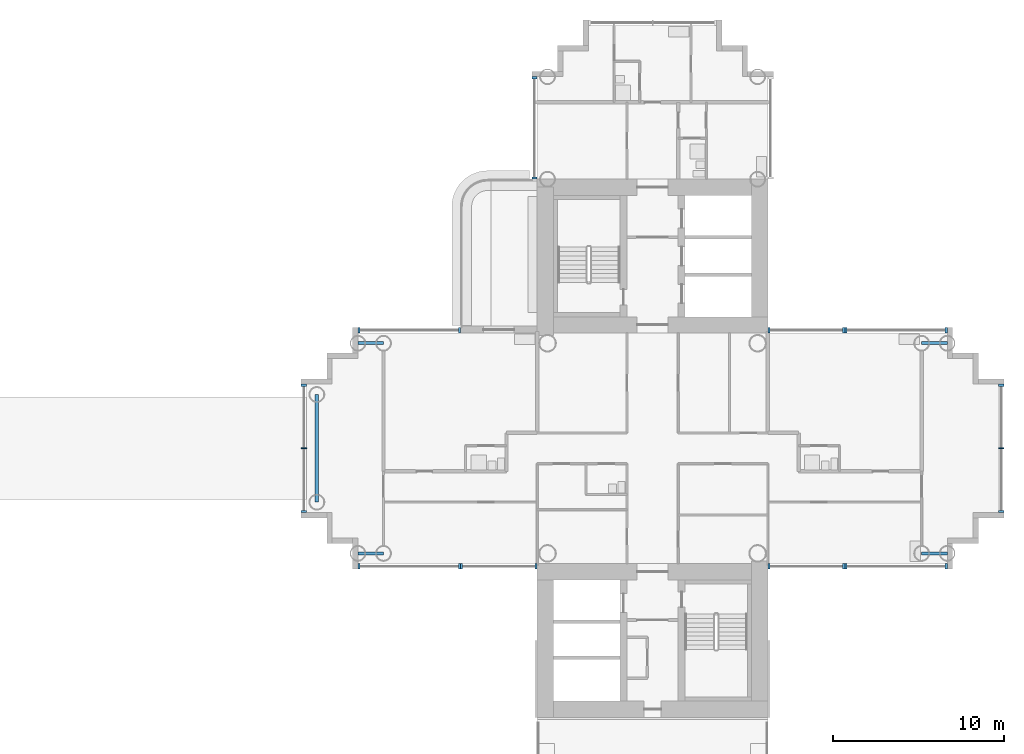
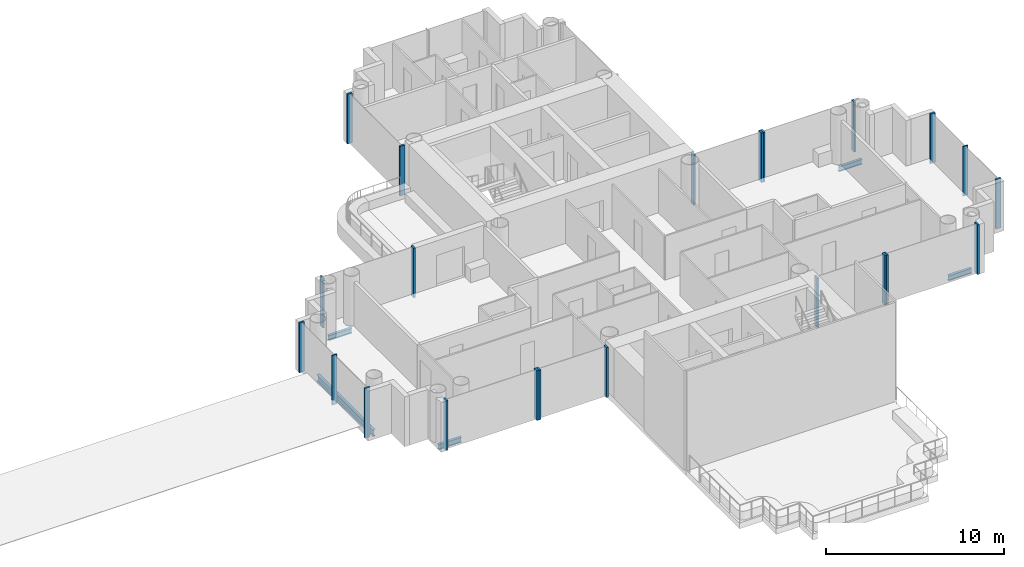
# One storey, part 5 of 22: 22 members, 5 beams, 10 elements without a shape of their own.
"""IFC4 building model written with IfcOpenShell, lengths in metres."""

from ifc_helpers import new_model, si_unit, direction, frame, origin, origin_2d, place, context, subcontext, project, spatial, rectangle, i_section, extrude, material, layer, layer_set, material_profile, profile_set, type_object, element, aggregate, save


model = new_model("IFC4")

# Units and contexts
model_context = context("Model", 3, precision=1e-05, world=origin(), true_north=direction((0.0, 1.0)))
body_context = subcontext(model_context, "Body", "Model", "MODEL_VIEW")
ifc_project = project(units=[si_unit("LENGTHUNIT", "METRE"), si_unit("AREAUNIT", "SQUARE_METRE"), si_unit("VOLUMEUNIT", "CUBIC_METRE"), si_unit("PLANEANGLEUNIT", "RADIAN"), si_unit("MASSUNIT", "GRAM", prefix="KILO")], contexts=[model_context])

# Site, building, storey
site_placement = place(None, origin())
site = spatial("IfcSite", under=ifc_project, at=site_placement, CompositionType="ELEMENT")
building_placement = place(site_placement, origin())
building = spatial("IfcBuilding", under=site, at=building_placement, Name="Ipe Terrace Towers", CompositionType="ELEMENT")
storey_placement = place(building_placement, frame((0.0, 0.0, 76.60009765625)))
storey = spatial("IfcBuildingStorey", under=building, at=storey_placement, Name="L20", CompositionType="ELEMENT", Elevation=76.60009765625)

# Beams
ifc_material_1 = material(Name="Steel S355", Category="steel")
ifc_material_profile_1 = material_profile(ifc_material_1, i_section(OverallWidth=0.175048828125, OverallDepth=0.35009765625, WebThickness=0.007080078125, FlangeThickness=0.010986328125, at=origin_2d()), Name="H-350x175x7x11")
ifc_profile_set_1 = profile_set([ifc_material_profile_1], Name="Steel S355")
beam_type_1 = type_object("IfcBeamType", Name="H04 EDGE BEAM H-350x175x7x11", PredefinedType="BEAM", material=ifc_profile_set_1)
for number, where, z_axis, x_axis, name in (
    (1, (20.25, 6.14990234375, -0.5751953125), (-1.0, 0.0, 0.0), (0.0, -1.0, 0.0), "Edge beam T2-EB-B03-B05"),
    (2, (20.25, -6.14990234375, -0.5751953125), (-1.0, 0.0, 0.0), (0.0, -1.0, 0.0), "Edge beam T2-EB-B04-B06"),
    (3, (51.75, -6.14990234375, -0.5751953125), (1.0, 0.0, 0.0), (0.0, 1.0, 0.0), "Edge beam T2-EB-D03-D05"),
    (4, (51.75, 6.14990234375, -0.5751953125), (1.0, 0.0, 0.0), (0.0, 1.0, 0.0), "Edge beam T2-EB-D04-D06"),
):
    element("IfcBeam", number, at=place(storey_placement, frame(where, z_axis=z_axis, x_axis=x_axis)), inside=storey, type_object=beam_type_1, Name=name, PredefinedType="BEAM", context=body_context, shape_type="SweptSolid", body=[
        extrude(i_section(OverallWidth=0.175048828125, OverallDepth=0.35009765625, WebThickness=0.007080078125, FlangeThickness=0.010986328125, at=origin_2d()), origin(), (0.0, 0.0, 1.0), 1.5),
    ])
ifc_material_2 = material(Name="Steel S355", Category="steel")
ifc_material_profile_2 = material_profile(ifc_material_2, i_section(OverallWidth=0.199951171875, OverallDepth=0.449951171875, WebThickness=0.009033203125, FlangeThickness=0.013916015625, at=origin_2d()), Name="H-450x200x9x14")
ifc_profile_set_2 = profile_set([ifc_material_profile_2], Name="Steel S355")
beam_type_2 = type_object("IfcBeamType", Name="H08 EDGE BEAM H-450x200x9x14", PredefinedType="BEAM", material=ifc_profile_set_2)
beam_placement = place(storey_placement, frame((16.35009765625, 3.14990234375, -0.625), z_axis=(0.0, -1.0, 0.0), x_axis=(1.0, 0.0, 0.0)))
element("IfcBeam", 5, at=beam_placement, inside=storey, type_object=beam_type_2, Name="Edge beam T2-EB-B07-B08", PredefinedType="BEAM", context=body_context, shape_type="SweptSolid", body=[
    extrude(i_section(OverallWidth=0.199951171875, OverallDepth=0.449951171875, WebThickness=0.009033203125, FlangeThickness=0.013916015625, at=origin_2d()), origin(), (0.0, 0.0, 1.0), 6.2998046875),
])

# Curtain wall, members
ifc_material_3 = material(Name="Aluminium alloy 6063-T6", Category="aluminium")
ifc_layer = layer(ifc_material_3, 0.320068359375)
ifc_layer_set = layer_set([ifc_layer], Name="TOWER UNITISED CURTAIN WALL")
curtain_wall_type = type_object("IfcCurtainWallType", Name="TOWER UNITISED CURTAIN WALL", PredefinedType="NOTDEFINED", material=ifc_layer_set)
curtain_wall_1_placement = place(storey_placement, origin())
curtain_wall_1 = element("IfcCurtainWall", 6, at=curtain_wall_1_placement, inside=storey, type_object=curtain_wall_type, Name="T2-CW-L20-02a curtain wall", PredefinedType="NOTDEFINED")
ifc_material_4 = material(Name="Aluminium alloy 6063-T6", Category="aluminium")
ifc_material_profile_3 = material_profile(ifc_material_4, rectangle(XDim=0.320068359375, YDim=0.1201171875, at=origin_2d()), Name="TOWER UNITISED CORNER MULLION 320 x 120")
ifc_profile_set_3 = profile_set([ifc_material_profile_3], Name="Aluminium alloy 6063-T6")
member_type_1 = type_object("IfcMemberType", Name="TOWER UNITISED CORNER MULLION 320 x 120", PredefinedType="MULLION", material=ifc_profile_set_3)
member_1_placement = place(storey_placement, frame((42.81005859375, -6.909912109375, -0.300048828125), z_axis=(0.0, 0.0, 1.0), x_axis=(0.0, -1.0, 0.0)))
member_1 = element("IfcMember", 7, at=member_1_placement, type_object=member_type_1, Name="T2-CW-L20-02a mullion 1", PredefinedType="MULLION", context=body_context, shape_type="SweptSolid", body=[
    extrude(rectangle(XDim=0.320068359375, YDim=0.1201171875, at=origin_2d()), origin(), (0.0, 0.0, 1.0), 3.39990234375),
])
member_2_placement = place(storey_placement, frame((47.18994140625, -6.909912109375, -0.300048828125), z_axis=(0.0, 0.0, 1.0), x_axis=(0.0, -1.0, 0.0)))
member_2 = element("IfcMember", 8, at=member_2_placement, type_object=member_type_1, Name="T2-CW-L20-02a mullion 2", PredefinedType="MULLION", context=body_context, shape_type="SweptSolid", body=[
    extrude(rectangle(XDim=0.320068359375, YDim=0.1201171875, at=origin_2d()), origin(), (0.0, 0.0, 1.0), 3.39990234375),
])
aggregate(curtain_wall_1, [member_1, member_2])

curtain_wall_2_placement = place(storey_placement, origin())
curtain_wall_2 = element("IfcCurtainWall", 9, at=curtain_wall_2_placement, inside=storey, type_object=curtain_wall_type, Name="T2-CW-L20-03a curtain wall", PredefinedType="NOTDEFINED")
member_3_placement = place(storey_placement, frame((47.31005859375, -6.909912109375, -0.300048828125), z_axis=(0.0, 0.0, 1.0), x_axis=(0.0, -1.0, 0.0)))
member_3 = element("IfcMember", 10, at=member_3_placement, type_object=member_type_1, Name="T2-CW-L20-03a mullion 1", PredefinedType="MULLION", context=body_context, shape_type="SweptSolid", body=[
    extrude(rectangle(XDim=0.320068359375, YDim=0.1201171875, at=origin_2d()), origin(), (0.0, 0.0, 1.0), 3.39990234375),
])
member_4_placement = place(storey_placement, frame((53.18994140625, -6.909912109375, -0.300048828125), z_axis=(0.0, 0.0, 1.0), x_axis=(0.0, -1.0, 0.0)))
member_4 = element("IfcMember", 11, at=member_4_placement, type_object=member_type_1, Name="T2-CW-L20-03a mullion 2", PredefinedType="MULLION", context=body_context, shape_type="SweptSolid", body=[
    extrude(rectangle(XDim=0.320068359375, YDim=0.1201171875, at=origin_2d()), origin(), (0.0, 0.0, 1.0), 3.39990234375),
])
aggregate(curtain_wall_2, [member_3, member_4])

curtain_wall_3_placement = place(storey_placement, origin())
curtain_wall_3 = element("IfcCurtainWall", 12, at=curtain_wall_3_placement, inside=storey, type_object=curtain_wall_type, Name="T2-CW-L20-08a curtain wall", PredefinedType="NOTDEFINED")
member_5_placement = place(storey_placement, frame((56.409912109375, -3.68994140625, -0.300048828125), z_axis=(0.0, 0.0, 1.0), x_axis=(1.0, 0.0, 0.0)))
member_5 = element("IfcMember", 13, at=member_5_placement, type_object=member_type_1, Name="T2-CW-L20-08a mullion 1", PredefinedType="MULLION", context=body_context, shape_type="SweptSolid", body=[
    extrude(rectangle(XDim=0.320068359375, YDim=0.1201171875, at=origin_2d()), origin(), (0.0, 0.0, 1.0), 3.39990234375),
])
member_6_placement = place(storey_placement, frame((56.409912109375, 3.68994140625, -0.300048828125), z_axis=(0.0, 0.0, 1.0), x_axis=(1.0, 0.0, 0.0)))
member_6 = element("IfcMember", 14, at=member_6_placement, type_object=member_type_1, Name="T2-CW-L20-08a mullion 3", PredefinedType="MULLION", context=body_context, shape_type="SweptSolid", body=[
    extrude(rectangle(XDim=0.320068359375, YDim=0.1201171875, at=origin_2d()), origin(), (0.0, 0.0, 1.0), 3.39990234375),
])

curtain_wall_4_placement = place(storey_placement, origin())
curtain_wall_4 = element("IfcCurtainWall", 15, at=curtain_wall_4_placement, inside=storey, type_object=curtain_wall_type, Name="T2-CW-L20-13a curtain wall", PredefinedType="NOTDEFINED")
member_7_placement = place(storey_placement, frame((53.18994140625, 6.909912109375, -0.300048828125), z_axis=(0.0, 0.0, 1.0), x_axis=(0.0, 1.0, 0.0)))
member_7 = element("IfcMember", 16, at=member_7_placement, type_object=member_type_1, Name="T2-CW-L20-13a mullion 1", PredefinedType="MULLION", context=body_context, shape_type="SweptSolid", body=[
    extrude(rectangle(XDim=0.320068359375, YDim=0.1201171875, at=origin_2d()), origin(), (0.0, 0.0, 1.0), 3.39990234375),
])
member_8_placement = place(storey_placement, frame((47.31005859375, 6.909912109375, -0.300048828125), z_axis=(0.0, 0.0, 1.0), x_axis=(0.0, 1.0, 0.0)))
member_8 = element("IfcMember", 17, at=member_8_placement, type_object=member_type_1, Name="T2-CW-L20-13a mullion 2", PredefinedType="MULLION", context=body_context, shape_type="SweptSolid", body=[
    extrude(rectangle(XDim=0.320068359375, YDim=0.1201171875, at=origin_2d()), origin(), (0.0, 0.0, 1.0), 3.39990234375),
])
aggregate(curtain_wall_4, [member_7, member_8])

curtain_wall_5_placement = place(storey_placement, origin())
curtain_wall_5 = element("IfcCurtainWall", 18, at=curtain_wall_5_placement, inside=storey, type_object=curtain_wall_type, Name="T2-CW-L20-14a curtain wall", PredefinedType="NOTDEFINED")
member_9_placement = place(storey_placement, frame((47.18994140625, 6.909912109375, -0.300048828125), z_axis=(0.0, 0.0, 1.0), x_axis=(0.0, 1.0, 0.0)))
member_9 = element("IfcMember", 19, at=member_9_placement, type_object=member_type_1, Name="T2-CW-L20-14a mullion 1", PredefinedType="MULLION", context=body_context, shape_type="SweptSolid", body=[
    extrude(rectangle(XDim=0.320068359375, YDim=0.1201171875, at=origin_2d()), origin(), (0.0, 0.0, 1.0), 3.39990234375),
])
member_10_placement = place(storey_placement, frame((42.81005859375, 6.909912109375, -0.300048828125), z_axis=(0.0, 0.0, 1.0), x_axis=(0.0, 1.0, 0.0)))
member_10 = element("IfcMember", 20, at=member_10_placement, type_object=member_type_1, Name="T2-CW-L20-14a mullion 2", PredefinedType="MULLION", context=body_context, shape_type="SweptSolid", body=[
    extrude(rectangle(XDim=0.320068359375, YDim=0.1201171875, at=origin_2d()), origin(), (0.0, 0.0, 1.0), 3.39990234375),
])
aggregate(curtain_wall_5, [member_9, member_10])

curtain_wall_6_placement = place(storey_placement, origin())
curtain_wall_6 = element("IfcCurtainWall", 21, at=curtain_wall_6_placement, inside=storey, type_object=curtain_wall_type, Name="T2-CW-L20-26a curtain wall", PredefinedType="NOTDEFINED")
member_11_placement = place(storey_placement, frame((29.090087890625, 21.68994140625, -0.300048828125), z_axis=(0.0, 0.0, 1.0), x_axis=(-1.0, 0.0, 0.0)))
member_11 = element("IfcMember", 22, at=member_11_placement, type_object=member_type_1, Name="T2-CW-L20-26a mullion 1", PredefinedType="MULLION", context=body_context, shape_type="SweptSolid", body=[
    extrude(rectangle(XDim=0.320068359375, YDim=0.1201171875, at=origin_2d()), origin(), (0.0, 0.0, 1.0), 3.39990234375),
])
member_12_placement = place(storey_placement, frame((29.090087890625, 15.81103515625, -0.300048828125), z_axis=(0.0, 0.0, 1.0), x_axis=(-1.0, 0.0, 0.0)))
member_12 = element("IfcMember", 23, at=member_12_placement, type_object=member_type_1, Name="T2-CW-L20-26a mullion 2", PredefinedType="MULLION", context=body_context, shape_type="SweptSolid", body=[
    extrude(rectangle(XDim=0.320068359375, YDim=0.1201171875, at=origin_2d()), origin(), (0.0, 0.0, 1.0), 3.39990234375),
])
aggregate(curtain_wall_6, [member_11, member_12])

curtain_wall_7_placement = place(storey_placement, origin())
curtain_wall_7 = element("IfcCurtainWall", 24, at=curtain_wall_7_placement, inside=storey, type_object=curtain_wall_type, Name="T2-CW-L20-29a curtain wall", PredefinedType="NOTDEFINED")
member_13_placement = place(storey_placement, frame((24.68994140625, 6.909912109375, -0.300048828125), z_axis=(0.0, 0.0, 1.0), x_axis=(0.0, 1.0, 0.0)))
member_13 = element("IfcMember", 25, at=member_13_placement, type_object=member_type_1, Name="T2-CW-L20-29a mullion 1", PredefinedType="MULLION", context=body_context, shape_type="SweptSolid", body=[
    extrude(rectangle(XDim=0.320068359375, YDim=0.1201171875, at=origin_2d()), origin(), (0.0, 0.0, 1.0), 3.39990234375),
])
member_14_placement = place(storey_placement, frame((18.81005859375, 6.909912109375, -0.300048828125), z_axis=(0.0, 0.0, 1.0), x_axis=(0.0, 1.0, 0.0)))
member_14 = element("IfcMember", 26, at=member_14_placement, type_object=member_type_1, Name="T2-CW-L20-29a mullion 2", PredefinedType="MULLION", context=body_context, shape_type="SweptSolid", body=[
    extrude(rectangle(XDim=0.320068359375, YDim=0.1201171875, at=origin_2d()), origin(), (0.0, 0.0, 1.0), 3.39990234375),
])
aggregate(curtain_wall_7, [member_13, member_14])

curtain_wall_8_placement = place(storey_placement, origin())
curtain_wall_8 = element("IfcCurtainWall", 27, at=curtain_wall_8_placement, inside=storey, type_object=curtain_wall_type, Name="T2-CW-L20-34a curtain wall", PredefinedType="NOTDEFINED")
member_15_placement = place(storey_placement, frame((15.590087890625, 3.68994140625, -0.300048828125), z_axis=(0.0, 0.0, 1.0), x_axis=(-1.0, 0.0, 0.0)))
member_15 = element("IfcMember", 28, at=member_15_placement, type_object=member_type_1, Name="T2-CW-L20-34a mullion 1", PredefinedType="MULLION", context=body_context, shape_type="SweptSolid", body=[
    extrude(rectangle(XDim=0.320068359375, YDim=0.1201171875, at=origin_2d()), origin(), (0.0, 0.0, 1.0), 3.39990234375),
])
member_16_placement = place(storey_placement, frame((15.590087890625, -3.68994140625, -0.300048828125), z_axis=(0.0, 0.0, 1.0), x_axis=(-1.0, 0.0, 0.0)))
member_16 = element("IfcMember", 29, at=member_16_placement, type_object=member_type_1, Name="T2-CW-L20-34a mullion 3", PredefinedType="MULLION", context=body_context, shape_type="SweptSolid", body=[
    extrude(rectangle(XDim=0.320068359375, YDim=0.1201171875, at=origin_2d()), origin(), (0.0, 0.0, 1.0), 3.39990234375),
])

curtain_wall_9_placement = place(storey_placement, origin())
curtain_wall_9 = element("IfcCurtainWall", 30, at=curtain_wall_9_placement, inside=storey, type_object=curtain_wall_type, Name="T2-CW-L20-39a curtain wall", PredefinedType="NOTDEFINED")
member_17_placement = place(storey_placement, frame((18.81005859375, -6.909912109375, -0.300048828125), z_axis=(0.0, 0.0, 1.0), x_axis=(0.0, -1.0, 0.0)))
member_17 = element("IfcMember", 31, at=member_17_placement, type_object=member_type_1, Name="T2-CW-L20-39a mullion 1", PredefinedType="MULLION", context=body_context, shape_type="SweptSolid", body=[
    extrude(rectangle(XDim=0.320068359375, YDim=0.1201171875, at=origin_2d()), origin(), (0.0, 0.0, 1.0), 3.39990234375),
])
member_18_placement = place(storey_placement, frame((24.68994140625, -6.909912109375, -0.300048828125), z_axis=(0.0, 0.0, 1.0), x_axis=(0.0, -1.0, 0.0)))
member_18 = element("IfcMember", 32, at=member_18_placement, type_object=member_type_1, Name="T2-CW-L20-39a mullion 2", PredefinedType="MULLION", context=body_context, shape_type="SweptSolid", body=[
    extrude(rectangle(XDim=0.320068359375, YDim=0.1201171875, at=origin_2d()), origin(), (0.0, 0.0, 1.0), 3.39990234375),
])
aggregate(curtain_wall_9, [member_17, member_18])

curtain_wall_10_placement = place(storey_placement, origin())
curtain_wall_10 = element("IfcCurtainWall", 33, at=curtain_wall_10_placement, inside=storey, type_object=curtain_wall_type, Name="T2-CW-L20-40a curtain wall", PredefinedType="NOTDEFINED")
member_19_placement = place(storey_placement, frame((24.81005859375, -6.909912109375, -0.300048828125), z_axis=(0.0, 0.0, 1.0), x_axis=(0.0, -1.0, 0.0)))
member_19 = element("IfcMember", 34, at=member_19_placement, type_object=member_type_1, Name="T2-CW-L20-40a mullion 1", PredefinedType="MULLION", context=body_context, shape_type="SweptSolid", body=[
    extrude(rectangle(XDim=0.320068359375, YDim=0.1201171875, at=origin_2d()), origin(), (0.0, 0.0, 1.0), 3.39990234375),
])
member_20_placement = place(storey_placement, frame((29.18994140625, -6.909912109375, -0.300048828125), z_axis=(0.0, 0.0, 1.0), x_axis=(0.0, -1.0, 0.0)))
member_20 = element("IfcMember", 35, at=member_20_placement, type_object=member_type_1, Name="T2-CW-L20-40a mullion 2", PredefinedType="MULLION", context=body_context, shape_type="SweptSolid", body=[
    extrude(rectangle(XDim=0.320068359375, YDim=0.1201171875, at=origin_2d()), origin(), (0.0, 0.0, 1.0), 3.39990234375),
])
aggregate(curtain_wall_10, [member_19, member_20])

# Member
ifc_material_5 = material(Name="Aluminium alloy 6063-T6", Category="aluminium")
ifc_material_profile_4 = material_profile(ifc_material_5, rectangle(XDim=0.320068359375, YDim=0.06494140625, at=origin_2d()), Name="TOWER UNITISED MULLION 320 x 65")
ifc_profile_set_4 = profile_set([ifc_material_profile_4], Name="Aluminium alloy 6063-T6")
member_type_2 = type_object("IfcMemberType", Name="TOWER UNITISED MULLION 320 x 65", PredefinedType="MULLION", material=ifc_profile_set_4)
member_21_placement = place(storey_placement, frame((56.409912109375, 0.0, -0.300048828125), z_axis=(0.0, 0.0, 1.0), x_axis=(1.0, 0.0, 0.0)))
member_21 = element("IfcMember", 36, at=member_21_placement, type_object=member_type_2, Name="T2-CW-L20-08a mullion 2", PredefinedType="MULLION", context=body_context, shape_type="SweptSolid", body=[
    extrude(rectangle(XDim=0.320068359375, YDim=0.06494140625, at=origin_2d()), origin(), (0.0, 0.0, 1.0), 3.39990234375),
])

aggregate(curtain_wall_3, [member_5, member_21, member_6])

member_22_placement = place(storey_placement, frame((15.590087890625, 0.0, -0.300048828125), z_axis=(0.0, 0.0, 1.0), x_axis=(-1.0, 0.0, 0.0)))
member_22 = element("IfcMember", 37, at=member_22_placement, type_object=member_type_2, Name="T2-CW-L20-34a mullion 2", PredefinedType="MULLION", context=body_context, shape_type="SweptSolid", body=[
    extrude(rectangle(XDim=0.320068359375, YDim=0.06494140625, at=origin_2d()), origin(), (0.0, 0.0, 1.0), 3.39990234375),
])

aggregate(curtain_wall_8, [member_15, member_22, member_16])

save(model, "model.ifc")
